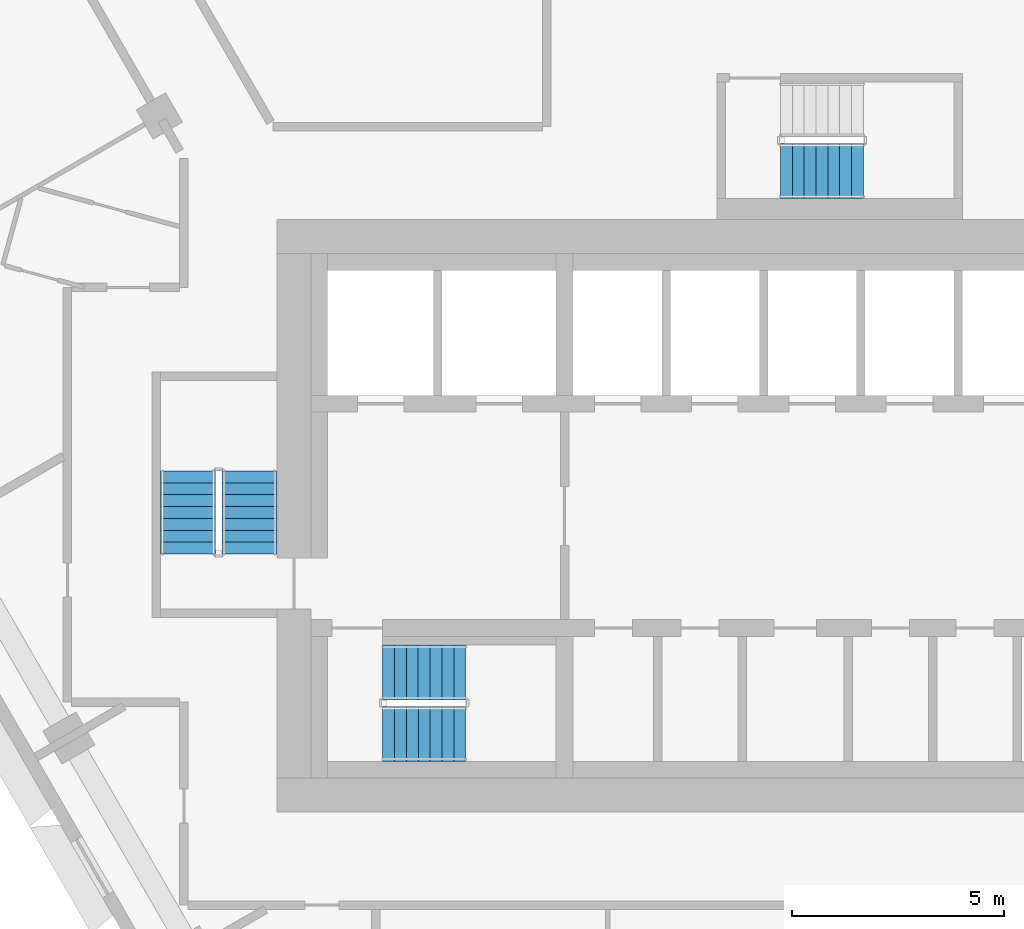
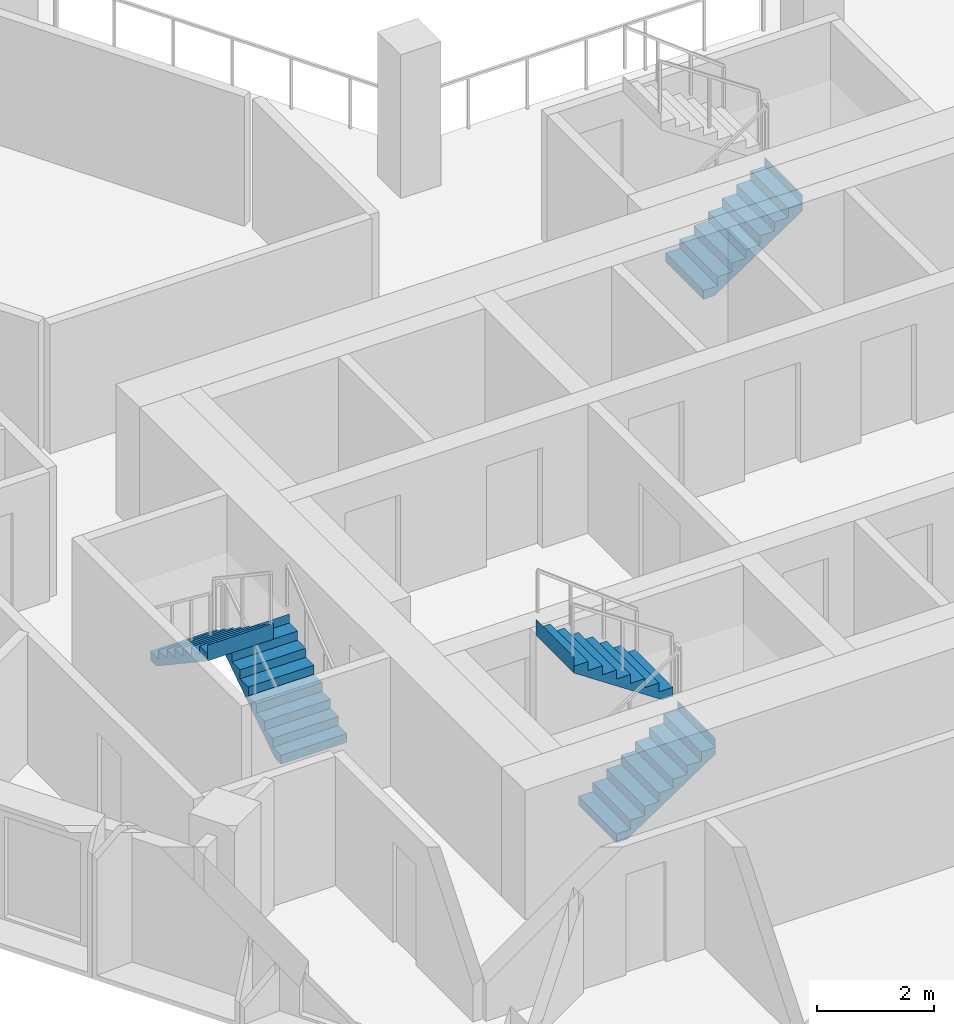
# One storey, part 10 of 15: 5 stair flights, 3 elements without a shape of their own.
"""IFC4 building model written with IfcOpenShell, lengths in metres."""

from ifc_helpers import new_model, si_unit, direction, frame, origin, place, context, subcontext, project, spatial, triangles, material, type_object, element, aggregate, save


model = new_model("IFC4")

# Units and contexts
model_context = context("Model", 3, precision=1e-05, world=origin(), true_north=direction((0.0, 1.0)))
body_context = subcontext(model_context, "Body", "Model", "MODEL_VIEW")
ifc_project = project(units=[si_unit("LENGTHUNIT", "METRE"), si_unit("AREAUNIT", "SQUARE_METRE"), si_unit("VOLUMEUNIT", "CUBIC_METRE"), si_unit("PLANEANGLEUNIT", "RADIAN"), si_unit("MASSUNIT", "GRAM", prefix="KILO")], contexts=[model_context])

# Site, building, storey
site_placement = place(None, origin())
site = spatial("IfcSite", under=ifc_project, at=site_placement, CompositionType="ELEMENT")
building_placement = place(site_placement, origin())
building = spatial("IfcBuilding", under=site, at=building_placement, Name="Beryl Residences", CompositionType="ELEMENT")
storey_placement = place(building_placement, frame((0.0, 0.0, 135.60009765625)))
storey = spatial("IfcBuildingStorey", under=building, at=storey_placement, Name="L41", CompositionType="ELEMENT", Elevation=135.60009765625)

# Stair, stair flights
ifc_material_1 = material(Name="Concrete C40/50", Category="concrete")
stair_type = type_object("IfcStairType", Name="ST1 protected exit stair, half-turn, 1300 mm flights", PredefinedType="HALF_TURN_STAIR", material=ifc_material_1)
stair_1_placement = place(storey_placement, origin())
stair_1 = element("IfcStair", 1, at=stair_1_placement, inside=storey, type_object=stair_type, Name="L41 PROTECTED EXIT STAIR ST-1", PredefinedType="HALF_TURN_STAIR")
ifc_material_2 = material(Name="Concrete C40/50", Category="concrete")
stair_flight_type = type_object("IfcStairFlightType", Name="SF1 stair flight 1300 mm", PredefinedType="STRAIGHT", material=ifc_material_2)
stair_flight_1_placement = place(storey_placement, frame((-10.800048828125, -17.14990234375, 0.0), z_axis=(0.0, 0.0, 1.0), x_axis=(1.0, 0.0, 0.0)))
stair_flight_1 = element("IfcStairFlight", 2, at=stair_flight_1_placement, type_object=stair_flight_type, Name="ST-1 flight 1", NumberOfRisers=8, NumberOfTreads=7, PredefinedType="STRAIGHT", RiserHeight=0.1875, TreadLength=0.28, context=body_context, shape_type="Tessellation", body=[
    triangles([(0.0, -0.64990234375, 0.0), (0.0, -0.324951171875, 0.0), (0.0, 0.0, 0.0), (0.0, 0.324951171875, 0.0), (0.0, 0.64990234375, 0.0), (0.0, -0.64990234375, 0.1875), (0.0, -0.324951171875, 0.1875), (0.0, 0.0, 0.1875), (0.0, 0.324951171875, 0.1875), (0.0, 0.64990234375, 0.1875), (0.280029296875, -0.64990234375, 0.1875), (0.280029296875, -0.324951171875, 0.1875), (0.280029296875, 0.0, 0.1875), (0.280029296875, 0.324951171875, 0.1875), (0.280029296875, 0.64990234375, 0.1875), (0.280029296875, -0.64990234375, 0.375), (0.280029296875, -0.324951171875, 0.375), (0.280029296875, 0.0, 0.375), (0.280029296875, 0.324951171875, 0.375), (0.280029296875, 0.64990234375, 0.375), (0.56005859375, -0.64990234375, 0.375), (0.56005859375, -0.324951171875, 0.375), (0.56005859375, 0.0, 0.375), (0.56005859375, 0.324951171875, 0.375), (0.56005859375, 0.64990234375, 0.375), (0.56005859375, -0.64990234375, 0.5625), (0.56005859375, -0.324951171875, 0.5625), (0.56005859375, 0.0, 0.5625), (0.56005859375, 0.324951171875, 0.5625), (0.56005859375, 0.64990234375, 0.5625), (0.840087890625, -0.64990234375, 0.5625), (0.840087890625, -0.324951171875, 0.5625), (0.840087890625, 0.0, 0.5625), (0.840087890625, 0.324951171875, 0.5625), (0.840087890625, 0.64990234375, 0.5625), (0.840087890625, -0.64990234375, 0.75), (0.840087890625, -0.324951171875, 0.75), (0.840087890625, 0.0, 0.75), (0.840087890625, 0.324951171875, 0.75), (0.840087890625, 0.64990234375, 0.75), (1.1201171875, -0.64990234375, 0.75), (1.1201171875, -0.324951171875, 0.75), (1.1201171875, 0.0, 0.75), (1.1201171875, 0.324951171875, 0.75), (1.1201171875, 0.64990234375, 0.75), (1.1201171875, -0.64990234375, 0.9375), (1.1201171875, -0.324951171875, 0.9375), (1.1201171875, 0.0, 0.9375), (1.1201171875, 0.324951171875, 0.9375), (1.1201171875, 0.64990234375, 0.9375), (1.39990234375, -0.64990234375, 0.9375), (1.39990234375, -0.324951171875, 0.9375), (1.39990234375, 0.0, 0.9375), (1.39990234375, 0.324951171875, 0.9375), (1.39990234375, 0.64990234375, 0.9375), (1.39990234375, -0.64990234375, 1.125), (1.39990234375, -0.324951171875, 1.125), (1.39990234375, 0.0, 1.125), (1.39990234375, 0.324951171875, 1.125), (1.39990234375, 0.64990234375, 1.125), (1.679931640625, -0.64990234375, 1.125), (1.679931640625, -0.324951171875, 1.125), (1.679931640625, 0.0, 1.125), (1.679931640625, 0.324951171875, 1.125), (1.679931640625, 0.64990234375, 1.125), (1.679931640625, -0.64990234375, 1.3125), (1.679931640625, -0.324951171875, 1.3125), (1.679931640625, 0.0, 1.3125), (1.679931640625, 0.324951171875, 1.3125), (1.679931640625, 0.64990234375, 1.3125), (1.9599609375, -0.64990234375, 1.3125), (1.9599609375, -0.324951171875, 1.3125), (1.9599609375, 0.0, 1.3125), (1.9599609375, 0.324951171875, 1.3125), (1.9599609375, 0.64990234375, 1.3125), (1.9599609375, -0.64990234375, 1.5), (1.9599609375, -0.324951171875, 1.5), (1.9599609375, 0.0, 1.5), (1.9599609375, 0.324951171875, 1.5), (1.9599609375, 0.64990234375, 1.5), (1.9609375, -0.64990234375, 1.5), (1.9609375, -0.324951171875, 1.5), (1.9609375, 0.0, 1.5), (1.9609375, 0.324951171875, 1.5), (1.9609375, 0.64990234375, 1.5), (1.9609375, -0.64990234375, 1.16796875), (1.9609375, -0.324951171875, 1.16796875), (1.9609375, 0.0, 1.16796875), (1.9609375, 0.324951171875, 1.16796875), (1.9609375, 0.64990234375, 1.16796875), (0.216796875, -0.64990234375, 0.0), (0.216796875, -0.324951171875, 0.0), (0.216796875, 0.0, 0.0), (0.216796875, 0.324951171875, 0.0), (0.216796875, 0.64990234375, 0.0)], [[1, 6, 7], [1, 7, 2], [2, 7, 8], [2, 8, 3], [3, 8, 9], [3, 9, 4], [4, 9, 10], [4, 10, 5], [6, 11, 12], [6, 12, 7], [7, 12, 13], [7, 13, 8], [8, 13, 14], [8, 14, 9], [9, 14, 15], [9, 15, 10], [11, 16, 17], [11, 17, 12], [12, 17, 18], [12, 18, 13], [13, 18, 19], [13, 19, 14], [14, 19, 20], [14, 20, 15], [16, 21, 22], [16, 22, 17], [17, 22, 23], [17, 23, 18], [18, 23, 24], [18, 24, 19], [19, 24, 25], [19, 25, 20], [21, 26, 27], [21, 27, 22], [22, 27, 28], [22, 28, 23], [23, 28, 29], [23, 29, 24], [24, 29, 30], [24, 30, 25], [26, 31, 32], [26, 32, 27], [27, 32, 33], [27, 33, 28], [28, 33, 34], [28, 34, 29], [29, 34, 35], [29, 35, 30], [31, 36, 37], [31, 37, 32], [32, 37, 38], [32, 38, 33], [33, 38, 39], [33, 39, 34], [34, 39, 40], [34, 40, 35], [36, 41, 42], [36, 42, 37], [37, 42, 43], [37, 43, 38], [38, 43, 44], [38, 44, 39], [39, 44, 45], [39, 45, 40], [41, 46, 47], [41, 47, 42], [42, 47, 48], [42, 48, 43], [43, 48, 49], [43, 49, 44], [44, 49, 50], [44, 50, 45], [46, 51, 52], [46, 52, 47], [47, 52, 53], [47, 53, 48], [48, 53, 54], [48, 54, 49], [49, 54, 55], [49, 55, 50], [51, 56, 57], [51, 57, 52], [52, 57, 58], [52, 58, 53], [53, 58, 59], [53, 59, 54], [54, 59, 60], [54, 60, 55], [56, 61, 62], [56, 62, 57], [57, 62, 63], [57, 63, 58], [58, 63, 64], [58, 64, 59], [59, 64, 65], [59, 65, 60], [61, 66, 67], [61, 67, 62], [62, 67, 68], [62, 68, 63], [63, 68, 69], [63, 69, 64], [64, 69, 70], [64, 70, 65], [66, 71, 72], [66, 72, 67], [67, 72, 73], [67, 73, 68], [68, 73, 74], [68, 74, 69], [69, 74, 75], [69, 75, 70], [71, 76, 77], [71, 77, 72], [72, 77, 78], [72, 78, 73], [73, 78, 79], [73, 79, 74], [74, 79, 80], [74, 80, 75], [76, 81, 82], [76, 82, 77], [77, 82, 83], [77, 83, 78], [78, 83, 84], [78, 84, 79], [79, 84, 85], [79, 85, 80], [81, 86, 87], [81, 87, 82], [82, 87, 88], [82, 88, 83], [83, 88, 89], [83, 89, 84], [84, 89, 90], [84, 90, 85], [86, 91, 92], [86, 92, 87], [87, 92, 93], [87, 93, 88], [88, 93, 94], [88, 94, 89], [89, 94, 95], [89, 95, 90], [91, 1, 2], [91, 2, 92], [92, 2, 3], [92, 3, 93], [93, 3, 4], [93, 4, 94], [94, 4, 5], [94, 5, 95], [1, 91, 86], [5, 90, 95], [86, 81, 76], [90, 80, 85], [86, 76, 71], [90, 75, 80], [86, 71, 66], [90, 70, 75], [86, 66, 61], [90, 65, 70], [61, 56, 51], [65, 55, 60], [86, 61, 51], [90, 55, 65], [51, 46, 41], [55, 45, 50], [86, 51, 41], [90, 45, 55], [41, 36, 31], [45, 35, 40], [86, 41, 31], [90, 35, 45], [31, 26, 21], [35, 25, 30], [86, 31, 21], [90, 25, 35], [21, 16, 11], [25, 15, 20], [86, 21, 11], [90, 15, 25], [1, 86, 11], [5, 15, 90], [11, 6, 1], [15, 5, 10]], closed=True),
])
stair_flight_2_placement = place(storey_placement, frame((-8.840087890625, -15.699951171875, 1.5), z_axis=(0.0, 0.0, 1.0), x_axis=(-1.0, 0.0, 0.0)))
stair_flight_2 = element("IfcStairFlight", 3, at=stair_flight_2_placement, type_object=stair_flight_type, Name="ST-1 flight 2", NumberOfRisers=8, NumberOfTreads=7, PredefinedType="STRAIGHT", RiserHeight=0.1875, TreadLength=0.28, context=body_context, shape_type="Tessellation", body=[
    triangles([(0.0, -0.64990234375, 0.0), (0.0, -0.324951171875, 0.0), (0.0, 0.0, 0.0), (0.0, 0.324951171875, 0.0), (0.0, 0.64990234375, 0.0), (0.0, -0.64990234375, 0.1875), (0.0, -0.324951171875, 0.1875), (0.0, 0.0, 0.1875), (0.0, 0.324951171875, 0.1875), (0.0, 0.64990234375, 0.1875), (0.280029296875, -0.64990234375, 0.1875), (0.280029296875, -0.324951171875, 0.1875), (0.280029296875, 0.0, 0.1875), (0.280029296875, 0.324951171875, 0.1875), (0.280029296875, 0.64990234375, 0.1875), (0.280029296875, -0.64990234375, 0.375), (0.280029296875, -0.324951171875, 0.375), (0.280029296875, 0.0, 0.375), (0.280029296875, 0.324951171875, 0.375), (0.280029296875, 0.64990234375, 0.375), (0.56005859375, -0.64990234375, 0.375), (0.56005859375, -0.324951171875, 0.375), (0.56005859375, 0.0, 0.375), (0.56005859375, 0.324951171875, 0.375), (0.56005859375, 0.64990234375, 0.375), (0.56005859375, -0.64990234375, 0.5625), (0.56005859375, -0.324951171875, 0.5625), (0.56005859375, 0.0, 0.5625), (0.56005859375, 0.324951171875, 0.5625), (0.56005859375, 0.64990234375, 0.5625), (0.840087890625, -0.64990234375, 0.5625), (0.840087890625, -0.324951171875, 0.5625), (0.840087890625, 0.0, 0.5625), (0.840087890625, 0.324951171875, 0.5625), (0.840087890625, 0.64990234375, 0.5625), (0.840087890625, -0.64990234375, 0.75), (0.840087890625, -0.324951171875, 0.75), (0.840087890625, 0.0, 0.75), (0.840087890625, 0.324951171875, 0.75), (0.840087890625, 0.64990234375, 0.75), (1.1201171875, -0.64990234375, 0.75), (1.1201171875, -0.324951171875, 0.75), (1.1201171875, 0.0, 0.75), (1.1201171875, 0.324951171875, 0.75), (1.1201171875, 0.64990234375, 0.75), (1.1201171875, -0.64990234375, 0.9375), (1.1201171875, -0.324951171875, 0.9375), (1.1201171875, 0.0, 0.9375), (1.1201171875, 0.324951171875, 0.9375), (1.1201171875, 0.64990234375, 0.9375), (1.39990234375, -0.64990234375, 0.9375), (1.39990234375, -0.324951171875, 0.9375), (1.39990234375, 0.0, 0.9375), (1.39990234375, 0.324951171875, 0.9375), (1.39990234375, 0.64990234375, 0.9375), (1.39990234375, -0.64990234375, 1.125), (1.39990234375, -0.324951171875, 1.125), (1.39990234375, 0.0, 1.125), (1.39990234375, 0.324951171875, 1.125), (1.39990234375, 0.64990234375, 1.125), (1.679931640625, -0.64990234375, 1.125), (1.679931640625, -0.324951171875, 1.125), (1.679931640625, 0.0, 1.125), (1.679931640625, 0.324951171875, 1.125), (1.679931640625, 0.64990234375, 1.125), (1.679931640625, -0.64990234375, 1.3125), (1.679931640625, -0.324951171875, 1.3125), (1.679931640625, 0.0, 1.3125), (1.679931640625, 0.324951171875, 1.3125), (1.679931640625, 0.64990234375, 1.3125), (1.9599609375, -0.64990234375, 1.3125), (1.9599609375, -0.324951171875, 1.3125), (1.9599609375, 0.0, 1.3125), (1.9599609375, 0.324951171875, 1.3125), (1.9599609375, 0.64990234375, 1.3125), (1.9599609375, -0.64990234375, 1.5), (1.9599609375, -0.324951171875, 1.5), (1.9599609375, 0.0, 1.5), (1.9599609375, 0.324951171875, 1.5), (1.9599609375, 0.64990234375, 1.5), (1.9609375, -0.64990234375, 1.5), (1.9609375, -0.324951171875, 1.5), (1.9609375, 0.0, 1.5), (1.9609375, 0.324951171875, 1.5), (1.9609375, 0.64990234375, 1.5), (1.9609375, -0.64990234375, 1.16796875), (1.9609375, -0.324951171875, 1.16796875), (1.9609375, 0.0, 1.16796875), (1.9609375, 0.324951171875, 1.16796875), (1.9609375, 0.64990234375, 1.16796875), (0.216796875, -0.64990234375, 0.0), (0.216796875, -0.324951171875, 0.0), (0.216796875, 0.0, 0.0), (0.216796875, 0.324951171875, 0.0), (0.216796875, 0.64990234375, 0.0)], [[1, 6, 7], [1, 7, 2], [2, 7, 8], [2, 8, 3], [3, 8, 9], [3, 9, 4], [4, 9, 10], [4, 10, 5], [6, 11, 12], [6, 12, 7], [7, 12, 13], [7, 13, 8], [8, 13, 14], [8, 14, 9], [9, 14, 15], [9, 15, 10], [11, 16, 17], [11, 17, 12], [12, 17, 18], [12, 18, 13], [13, 18, 19], [13, 19, 14], [14, 19, 20], [14, 20, 15], [16, 21, 22], [16, 22, 17], [17, 22, 23], [17, 23, 18], [18, 23, 24], [18, 24, 19], [19, 24, 25], [19, 25, 20], [21, 26, 27], [21, 27, 22], [22, 27, 28], [22, 28, 23], [23, 28, 29], [23, 29, 24], [24, 29, 30], [24, 30, 25], [26, 31, 32], [26, 32, 27], [27, 32, 33], [27, 33, 28], [28, 33, 34], [28, 34, 29], [29, 34, 35], [29, 35, 30], [31, 36, 37], [31, 37, 32], [32, 37, 38], [32, 38, 33], [33, 38, 39], [33, 39, 34], [34, 39, 40], [34, 40, 35], [36, 41, 42], [36, 42, 37], [37, 42, 43], [37, 43, 38], [38, 43, 44], [38, 44, 39], [39, 44, 45], [39, 45, 40], [41, 46, 47], [41, 47, 42], [42, 47, 48], [42, 48, 43], [43, 48, 49], [43, 49, 44], [44, 49, 50], [44, 50, 45], [46, 51, 52], [46, 52, 47], [47, 52, 53], [47, 53, 48], [48, 53, 54], [48, 54, 49], [49, 54, 55], [49, 55, 50], [51, 56, 57], [51, 57, 52], [52, 57, 58], [52, 58, 53], [53, 58, 59], [53, 59, 54], [54, 59, 60], [54, 60, 55], [56, 61, 62], [56, 62, 57], [57, 62, 63], [57, 63, 58], [58, 63, 64], [58, 64, 59], [59, 64, 65], [59, 65, 60], [61, 66, 67], [61, 67, 62], [62, 67, 68], [62, 68, 63], [63, 68, 69], [63, 69, 64], [64, 69, 70], [64, 70, 65], [66, 71, 72], [66, 72, 67], [67, 72, 73], [67, 73, 68], [68, 73, 74], [68, 74, 69], [69, 74, 75], [69, 75, 70], [71, 76, 77], [71, 77, 72], [72, 77, 78], [72, 78, 73], [73, 78, 79], [73, 79, 74], [74, 79, 80], [74, 80, 75], [76, 81, 82], [76, 82, 77], [77, 82, 83], [77, 83, 78], [78, 83, 84], [78, 84, 79], [79, 84, 85], [79, 85, 80], [81, 86, 87], [81, 87, 82], [82, 87, 88], [82, 88, 83], [83, 88, 89], [83, 89, 84], [84, 89, 90], [84, 90, 85], [86, 91, 92], [86, 92, 87], [87, 92, 93], [87, 93, 88], [88, 93, 94], [88, 94, 89], [89, 94, 95], [89, 95, 90], [91, 1, 2], [91, 2, 92], [92, 2, 3], [92, 3, 93], [93, 3, 4], [93, 4, 94], [94, 4, 5], [94, 5, 95], [1, 91, 86], [5, 90, 95], [86, 81, 76], [90, 80, 85], [86, 76, 71], [90, 75, 80], [86, 71, 66], [90, 70, 75], [86, 66, 61], [90, 65, 70], [61, 56, 51], [65, 55, 60], [86, 61, 51], [90, 55, 65], [51, 46, 41], [55, 45, 50], [86, 51, 41], [90, 45, 55], [41, 36, 31], [45, 35, 40], [86, 41, 31], [90, 35, 45], [31, 26, 21], [35, 25, 30], [86, 31, 21], [90, 25, 35], [21, 16, 11], [25, 15, 20], [86, 21, 11], [90, 15, 25], [1, 86, 11], [5, 15, 90], [11, 6, 1], [15, 5, 10]], closed=True),
])
aggregate(stair_1, [stair_flight_1, stair_flight_2])

stair_2_placement = place(storey_placement, origin())
stair_2 = element("IfcStair", 4, at=stair_2_placement, inside=storey, type_object=stair_type, Name="L41 PROTECTED EXIT STAIR ST-2", PredefinedType="HALF_TURN_STAIR")
stair_flight_3_placement = place(storey_placement, frame((-13.949951171875, -12.89990234375, 0.0), z_axis=(0.0, 0.0, 1.0), x_axis=(0.0, 1.0, 0.0)))
stair_flight_3 = element("IfcStairFlight", 5, at=stair_flight_3_placement, type_object=stair_flight_type, Name="ST-2 flight 1", NumberOfRisers=8, NumberOfTreads=7, PredefinedType="STRAIGHT", RiserHeight=0.1875, TreadLength=0.28, context=body_context, shape_type="Tessellation", body=[
    triangles([(0.0, -0.64990234375, 0.0), (0.0, -0.324951171875, 0.0), (0.0, 0.0, 0.0), (0.0, 0.324951171875, 0.0), (0.0, 0.64990234375, 0.0), (0.0, -0.64990234375, 0.1875), (0.0, -0.324951171875, 0.1875), (0.0, 0.0, 0.1875), (0.0, 0.324951171875, 0.1875), (0.0, 0.64990234375, 0.1875), (0.280029296875, -0.64990234375, 0.1875), (0.280029296875, -0.324951171875, 0.1875), (0.280029296875, 0.0, 0.1875), (0.280029296875, 0.324951171875, 0.1875), (0.280029296875, 0.64990234375, 0.1875), (0.280029296875, -0.64990234375, 0.375), (0.280029296875, -0.324951171875, 0.375), (0.280029296875, 0.0, 0.375), (0.280029296875, 0.324951171875, 0.375), (0.280029296875, 0.64990234375, 0.375), (0.56005859375, -0.64990234375, 0.375), (0.56005859375, -0.324951171875, 0.375), (0.56005859375, 0.0, 0.375), (0.56005859375, 0.324951171875, 0.375), (0.56005859375, 0.64990234375, 0.375), (0.56005859375, -0.64990234375, 0.5625), (0.56005859375, -0.324951171875, 0.5625), (0.56005859375, 0.0, 0.5625), (0.56005859375, 0.324951171875, 0.5625), (0.56005859375, 0.64990234375, 0.5625), (0.840087890625, -0.64990234375, 0.5625), (0.840087890625, -0.324951171875, 0.5625), (0.840087890625, 0.0, 0.5625), (0.840087890625, 0.324951171875, 0.5625), (0.840087890625, 0.64990234375, 0.5625), (0.840087890625, -0.64990234375, 0.75), (0.840087890625, -0.324951171875, 0.75), (0.840087890625, 0.0, 0.75), (0.840087890625, 0.324951171875, 0.75), (0.840087890625, 0.64990234375, 0.75), (1.1201171875, -0.64990234375, 0.75), (1.1201171875, -0.324951171875, 0.75), (1.1201171875, 0.0, 0.75), (1.1201171875, 0.324951171875, 0.75), (1.1201171875, 0.64990234375, 0.75), (1.1201171875, -0.64990234375, 0.9375), (1.1201171875, -0.324951171875, 0.9375), (1.1201171875, 0.0, 0.9375), (1.1201171875, 0.324951171875, 0.9375), (1.1201171875, 0.64990234375, 0.9375), (1.39990234375, -0.64990234375, 0.9375), (1.39990234375, -0.324951171875, 0.9375), (1.39990234375, 0.0, 0.9375), (1.39990234375, 0.324951171875, 0.9375), (1.39990234375, 0.64990234375, 0.9375), (1.39990234375, -0.64990234375, 1.125), (1.39990234375, -0.324951171875, 1.125), (1.39990234375, 0.0, 1.125), (1.39990234375, 0.324951171875, 1.125), (1.39990234375, 0.64990234375, 1.125), (1.679931640625, -0.64990234375, 1.125), (1.679931640625, -0.324951171875, 1.125), (1.679931640625, 0.0, 1.125), (1.679931640625, 0.324951171875, 1.125), (1.679931640625, 0.64990234375, 1.125), (1.679931640625, -0.64990234375, 1.3125), (1.679931640625, -0.324951171875, 1.3125), (1.679931640625, 0.0, 1.3125), (1.679931640625, 0.324951171875, 1.3125), (1.679931640625, 0.64990234375, 1.3125), (1.9599609375, -0.64990234375, 1.3125), (1.9599609375, -0.324951171875, 1.3125), (1.9599609375, 0.0, 1.3125), (1.9599609375, 0.324951171875, 1.3125), (1.9599609375, 0.64990234375, 1.3125), (1.9599609375, -0.64990234375, 1.5), (1.9599609375, -0.324951171875, 1.5), (1.9599609375, 0.0, 1.5), (1.9599609375, 0.324951171875, 1.5), (1.9599609375, 0.64990234375, 1.5), (1.9609375, -0.64990234375, 1.5), (1.9609375, -0.324951171875, 1.5), (1.9609375, 0.0, 1.5), (1.9609375, 0.324951171875, 1.5), (1.9609375, 0.64990234375, 1.5), (1.9609375, -0.64990234375, 1.16796875), (1.9609375, -0.324951171875, 1.16796875), (1.9609375, 0.0, 1.16796875), (1.9609375, 0.324951171875, 1.16796875), (1.9609375, 0.64990234375, 1.16796875), (0.216796875, -0.64990234375, 0.0), (0.216796875, -0.324951171875, 0.0), (0.216796875, 0.0, 0.0), (0.216796875, 0.324951171875, 0.0), (0.216796875, 0.64990234375, 0.0)], [[1, 6, 7], [1, 7, 2], [2, 7, 8], [2, 8, 3], [3, 8, 9], [3, 9, 4], [4, 9, 10], [4, 10, 5], [6, 11, 12], [6, 12, 7], [7, 12, 13], [7, 13, 8], [8, 13, 14], [8, 14, 9], [9, 14, 15], [9, 15, 10], [11, 16, 17], [11, 17, 12], [12, 17, 18], [12, 18, 13], [13, 18, 19], [13, 19, 14], [14, 19, 20], [14, 20, 15], [16, 21, 22], [16, 22, 17], [17, 22, 23], [17, 23, 18], [18, 23, 24], [18, 24, 19], [19, 24, 25], [19, 25, 20], [21, 26, 27], [21, 27, 22], [22, 27, 28], [22, 28, 23], [23, 28, 29], [23, 29, 24], [24, 29, 30], [24, 30, 25], [26, 31, 32], [26, 32, 27], [27, 32, 33], [27, 33, 28], [28, 33, 34], [28, 34, 29], [29, 34, 35], [29, 35, 30], [31, 36, 37], [31, 37, 32], [32, 37, 38], [32, 38, 33], [33, 38, 39], [33, 39, 34], [34, 39, 40], [34, 40, 35], [36, 41, 42], [36, 42, 37], [37, 42, 43], [37, 43, 38], [38, 43, 44], [38, 44, 39], [39, 44, 45], [39, 45, 40], [41, 46, 47], [41, 47, 42], [42, 47, 48], [42, 48, 43], [43, 48, 49], [43, 49, 44], [44, 49, 50], [44, 50, 45], [46, 51, 52], [46, 52, 47], [47, 52, 53], [47, 53, 48], [48, 53, 54], [48, 54, 49], [49, 54, 55], [49, 55, 50], [51, 56, 57], [51, 57, 52], [52, 57, 58], [52, 58, 53], [53, 58, 59], [53, 59, 54], [54, 59, 60], [54, 60, 55], [56, 61, 62], [56, 62, 57], [57, 62, 63], [57, 63, 58], [58, 63, 64], [58, 64, 59], [59, 64, 65], [59, 65, 60], [61, 66, 67], [61, 67, 62], [62, 67, 68], [62, 68, 63], [63, 68, 69], [63, 69, 64], [64, 69, 70], [64, 70, 65], [66, 71, 72], [66, 72, 67], [67, 72, 73], [67, 73, 68], [68, 73, 74], [68, 74, 69], [69, 74, 75], [69, 75, 70], [71, 76, 77], [71, 77, 72], [72, 77, 78], [72, 78, 73], [73, 78, 79], [73, 79, 74], [74, 79, 80], [74, 80, 75], [76, 81, 82], [76, 82, 77], [77, 82, 83], [77, 83, 78], [78, 83, 84], [78, 84, 79], [79, 84, 85], [79, 85, 80], [81, 86, 87], [81, 87, 82], [82, 87, 88], [82, 88, 83], [83, 88, 89], [83, 89, 84], [84, 89, 90], [84, 90, 85], [86, 91, 92], [86, 92, 87], [87, 92, 93], [87, 93, 88], [88, 93, 94], [88, 94, 89], [89, 94, 95], [89, 95, 90], [91, 1, 2], [91, 2, 92], [92, 2, 3], [92, 3, 93], [93, 3, 4], [93, 4, 94], [94, 4, 5], [94, 5, 95], [1, 91, 86], [5, 90, 95], [86, 81, 76], [90, 80, 85], [86, 76, 71], [90, 75, 80], [86, 71, 66], [90, 70, 75], [86, 66, 61], [90, 65, 70], [61, 56, 51], [65, 55, 60], [86, 61, 51], [90, 55, 65], [51, 46, 41], [55, 45, 50], [86, 51, 41], [90, 45, 55], [41, 36, 31], [45, 35, 40], [86, 41, 31], [90, 35, 45], [31, 26, 21], [35, 25, 30], [86, 31, 21], [90, 25, 35], [21, 16, 11], [25, 15, 20], [86, 21, 11], [90, 15, 25], [1, 86, 11], [5, 15, 90], [11, 6, 1], [15, 5, 10]], closed=True),
])
stair_flight_4_placement = place(storey_placement, frame((-15.39990234375, -10.93994140625, 1.5), z_axis=(0.0, 0.0, 1.0), x_axis=(0.0, -1.0, 0.0)))
stair_flight_4 = element("IfcStairFlight", 6, at=stair_flight_4_placement, type_object=stair_flight_type, Name="ST-2 flight 2", NumberOfRisers=8, NumberOfTreads=7, PredefinedType="STRAIGHT", RiserHeight=0.1875, TreadLength=0.28, context=body_context, shape_type="Tessellation", body=[
    triangles([(0.0, -0.64990234375, 0.0), (0.0, -0.324951171875, 0.0), (0.0, 0.0, 0.0), (0.0, 0.324951171875, 0.0), (0.0, 0.64990234375, 0.0), (0.0, -0.64990234375, 0.1875), (0.0, -0.324951171875, 0.1875), (0.0, 0.0, 0.1875), (0.0, 0.324951171875, 0.1875), (0.0, 0.64990234375, 0.1875), (0.280029296875, -0.64990234375, 0.1875), (0.280029296875, -0.324951171875, 0.1875), (0.280029296875, 0.0, 0.1875), (0.280029296875, 0.324951171875, 0.1875), (0.280029296875, 0.64990234375, 0.1875), (0.280029296875, -0.64990234375, 0.375), (0.280029296875, -0.324951171875, 0.375), (0.280029296875, 0.0, 0.375), (0.280029296875, 0.324951171875, 0.375), (0.280029296875, 0.64990234375, 0.375), (0.56005859375, -0.64990234375, 0.375), (0.56005859375, -0.324951171875, 0.375), (0.56005859375, 0.0, 0.375), (0.56005859375, 0.324951171875, 0.375), (0.56005859375, 0.64990234375, 0.375), (0.56005859375, -0.64990234375, 0.5625), (0.56005859375, -0.324951171875, 0.5625), (0.56005859375, 0.0, 0.5625), (0.56005859375, 0.324951171875, 0.5625), (0.56005859375, 0.64990234375, 0.5625), (0.840087890625, -0.64990234375, 0.5625), (0.840087890625, -0.324951171875, 0.5625), (0.840087890625, 0.0, 0.5625), (0.840087890625, 0.324951171875, 0.5625), (0.840087890625, 0.64990234375, 0.5625), (0.840087890625, -0.64990234375, 0.75), (0.840087890625, -0.324951171875, 0.75), (0.840087890625, 0.0, 0.75), (0.840087890625, 0.324951171875, 0.75), (0.840087890625, 0.64990234375, 0.75), (1.1201171875, -0.64990234375, 0.75), (1.1201171875, -0.324951171875, 0.75), (1.1201171875, 0.0, 0.75), (1.1201171875, 0.324951171875, 0.75), (1.1201171875, 0.64990234375, 0.75), (1.1201171875, -0.64990234375, 0.9375), (1.1201171875, -0.324951171875, 0.9375), (1.1201171875, 0.0, 0.9375), (1.1201171875, 0.324951171875, 0.9375), (1.1201171875, 0.64990234375, 0.9375), (1.39990234375, -0.64990234375, 0.9375), (1.39990234375, -0.324951171875, 0.9375), (1.39990234375, 0.0, 0.9375), (1.39990234375, 0.324951171875, 0.9375), (1.39990234375, 0.64990234375, 0.9375), (1.39990234375, -0.64990234375, 1.125), (1.39990234375, -0.324951171875, 1.125), (1.39990234375, 0.0, 1.125), (1.39990234375, 0.324951171875, 1.125), (1.39990234375, 0.64990234375, 1.125), (1.679931640625, -0.64990234375, 1.125), (1.679931640625, -0.324951171875, 1.125), (1.679931640625, 0.0, 1.125), (1.679931640625, 0.324951171875, 1.125), (1.679931640625, 0.64990234375, 1.125), (1.679931640625, -0.64990234375, 1.3125), (1.679931640625, -0.324951171875, 1.3125), (1.679931640625, 0.0, 1.3125), (1.679931640625, 0.324951171875, 1.3125), (1.679931640625, 0.64990234375, 1.3125), (1.9599609375, -0.64990234375, 1.3125), (1.9599609375, -0.324951171875, 1.3125), (1.9599609375, 0.0, 1.3125), (1.9599609375, 0.324951171875, 1.3125), (1.9599609375, 0.64990234375, 1.3125), (1.9599609375, -0.64990234375, 1.5), (1.9599609375, -0.324951171875, 1.5), (1.9599609375, 0.0, 1.5), (1.9599609375, 0.324951171875, 1.5), (1.9599609375, 0.64990234375, 1.5), (1.9609375, -0.64990234375, 1.5), (1.9609375, -0.324951171875, 1.5), (1.9609375, 0.0, 1.5), (1.9609375, 0.324951171875, 1.5), (1.9609375, 0.64990234375, 1.5), (1.9609375, -0.64990234375, 1.16796875), (1.9609375, -0.324951171875, 1.16796875), (1.9609375, 0.0, 1.16796875), (1.9609375, 0.324951171875, 1.16796875), (1.9609375, 0.64990234375, 1.16796875), (0.216796875, -0.64990234375, 0.0), (0.216796875, -0.324951171875, 0.0), (0.216796875, 0.0, 0.0), (0.216796875, 0.324951171875, 0.0), (0.216796875, 0.64990234375, 0.0)], [[1, 6, 7], [1, 7, 2], [2, 7, 8], [2, 8, 3], [3, 8, 9], [3, 9, 4], [4, 9, 10], [4, 10, 5], [6, 11, 12], [6, 12, 7], [7, 12, 13], [7, 13, 8], [8, 13, 14], [8, 14, 9], [9, 14, 15], [9, 15, 10], [11, 16, 17], [11, 17, 12], [12, 17, 18], [12, 18, 13], [13, 18, 19], [13, 19, 14], [14, 19, 20], [14, 20, 15], [16, 21, 22], [16, 22, 17], [17, 22, 23], [17, 23, 18], [18, 23, 24], [18, 24, 19], [19, 24, 25], [19, 25, 20], [21, 26, 27], [21, 27, 22], [22, 27, 28], [22, 28, 23], [23, 28, 29], [23, 29, 24], [24, 29, 30], [24, 30, 25], [26, 31, 32], [26, 32, 27], [27, 32, 33], [27, 33, 28], [28, 33, 34], [28, 34, 29], [29, 34, 35], [29, 35, 30], [31, 36, 37], [31, 37, 32], [32, 37, 38], [32, 38, 33], [33, 38, 39], [33, 39, 34], [34, 39, 40], [34, 40, 35], [36, 41, 42], [36, 42, 37], [37, 42, 43], [37, 43, 38], [38, 43, 44], [38, 44, 39], [39, 44, 45], [39, 45, 40], [41, 46, 47], [41, 47, 42], [42, 47, 48], [42, 48, 43], [43, 48, 49], [43, 49, 44], [44, 49, 50], [44, 50, 45], [46, 51, 52], [46, 52, 47], [47, 52, 53], [47, 53, 48], [48, 53, 54], [48, 54, 49], [49, 54, 55], [49, 55, 50], [51, 56, 57], [51, 57, 52], [52, 57, 58], [52, 58, 53], [53, 58, 59], [53, 59, 54], [54, 59, 60], [54, 60, 55], [56, 61, 62], [56, 62, 57], [57, 62, 63], [57, 63, 58], [58, 63, 64], [58, 64, 59], [59, 64, 65], [59, 65, 60], [61, 66, 67], [61, 67, 62], [62, 67, 68], [62, 68, 63], [63, 68, 69], [63, 69, 64], [64, 69, 70], [64, 70, 65], [66, 71, 72], [66, 72, 67], [67, 72, 73], [67, 73, 68], [68, 73, 74], [68, 74, 69], [69, 74, 75], [69, 75, 70], [71, 76, 77], [71, 77, 72], [72, 77, 78], [72, 78, 73], [73, 78, 79], [73, 79, 74], [74, 79, 80], [74, 80, 75], [76, 81, 82], [76, 82, 77], [77, 82, 83], [77, 83, 78], [78, 83, 84], [78, 84, 79], [79, 84, 85], [79, 85, 80], [81, 86, 87], [81, 87, 82], [82, 87, 88], [82, 88, 83], [83, 88, 89], [83, 89, 84], [84, 89, 90], [84, 90, 85], [86, 91, 92], [86, 92, 87], [87, 92, 93], [87, 93, 88], [88, 93, 94], [88, 94, 89], [89, 94, 95], [89, 95, 90], [91, 1, 2], [91, 2, 92], [92, 2, 3], [92, 3, 93], [93, 3, 4], [93, 4, 94], [94, 4, 5], [94, 5, 95], [1, 91, 86], [5, 90, 95], [86, 81, 76], [90, 80, 85], [86, 76, 71], [90, 75, 80], [86, 71, 66], [90, 70, 75], [86, 66, 61], [90, 65, 70], [61, 56, 51], [65, 55, 60], [86, 61, 51], [90, 55, 65], [51, 46, 41], [55, 45, 50], [86, 51, 41], [90, 45, 55], [41, 36, 31], [45, 35, 40], [86, 41, 31], [90, 35, 45], [31, 26, 21], [35, 25, 30], [86, 31, 21], [90, 25, 35], [21, 16, 11], [25, 15, 20], [86, 21, 11], [90, 15, 25], [1, 86, 11], [5, 15, 90], [11, 6, 1], [15, 5, 10]], closed=True),
])
aggregate(stair_2, [stair_flight_3, stair_flight_4])

# Stair, stair flight
stair_3_placement = place(storey_placement, origin())
stair_3 = element("IfcStair", 7, at=stair_3_placement, inside=storey, type_object=stair_type, Name="L41 PROTECTED EXIT STAIR ST-4", PredefinedType="HALF_TURN_STAIR")
stair_flight_5_placement = place(storey_placement, frame((-1.39990234375, -3.85009765625, 0.0), z_axis=(0.0, 0.0, 1.0), x_axis=(1.0, 0.0, 0.0)))
stair_flight_5 = element("IfcStairFlight", 8, at=stair_flight_5_placement, type_object=stair_flight_type, Name="ST-4 flight 1", NumberOfRisers=8, NumberOfTreads=7, PredefinedType="STRAIGHT", RiserHeight=0.1875, TreadLength=0.28, context=body_context, shape_type="Tessellation", body=[
    triangles([(0.0, -0.64990234375, 0.0), (0.0, -0.324951171875, 0.0), (0.0, 0.0, 0.0), (0.0, 0.324951171875, 0.0), (0.0, 0.64990234375, 0.0), (0.0, -0.64990234375, 0.1875), (0.0, -0.324951171875, 0.1875), (0.0, 0.0, 0.1875), (0.0, 0.324951171875, 0.1875), (0.0, 0.64990234375, 0.1875), (0.280029296875, -0.64990234375, 0.1875), (0.280029296875, -0.324951171875, 0.1875), (0.280029296875, 0.0, 0.1875), (0.280029296875, 0.324951171875, 0.1875), (0.280029296875, 0.64990234375, 0.1875), (0.280029296875, -0.64990234375, 0.375), (0.280029296875, -0.324951171875, 0.375), (0.280029296875, 0.0, 0.375), (0.280029296875, 0.324951171875, 0.375), (0.280029296875, 0.64990234375, 0.375), (0.56005859375, -0.64990234375, 0.375), (0.56005859375, -0.324951171875, 0.375), (0.56005859375, 0.0, 0.375), (0.56005859375, 0.324951171875, 0.375), (0.56005859375, 0.64990234375, 0.375), (0.56005859375, -0.64990234375, 0.5625), (0.56005859375, -0.324951171875, 0.5625), (0.56005859375, 0.0, 0.5625), (0.56005859375, 0.324951171875, 0.5625), (0.56005859375, 0.64990234375, 0.5625), (0.840087890625, -0.64990234375, 0.5625), (0.840087890625, -0.324951171875, 0.5625), (0.840087890625, 0.0, 0.5625), (0.840087890625, 0.324951171875, 0.5625), (0.840087890625, 0.64990234375, 0.5625), (0.840087890625, -0.64990234375, 0.75), (0.840087890625, -0.324951171875, 0.75), (0.840087890625, 0.0, 0.75), (0.840087890625, 0.324951171875, 0.75), (0.840087890625, 0.64990234375, 0.75), (1.1201171875, -0.64990234375, 0.75), (1.1201171875, -0.324951171875, 0.75), (1.1201171875, 0.0, 0.75), (1.1201171875, 0.324951171875, 0.75), (1.1201171875, 0.64990234375, 0.75), (1.1201171875, -0.64990234375, 0.9375), (1.1201171875, -0.324951171875, 0.9375), (1.1201171875, 0.0, 0.9375), (1.1201171875, 0.324951171875, 0.9375), (1.1201171875, 0.64990234375, 0.9375), (1.39990234375, -0.64990234375, 0.9375), (1.39990234375, -0.324951171875, 0.9375), (1.39990234375, 0.0, 0.9375), (1.39990234375, 0.324951171875, 0.9375), (1.39990234375, 0.64990234375, 0.9375), (1.39990234375, -0.64990234375, 1.125), (1.39990234375, -0.324951171875, 1.125), (1.39990234375, 0.0, 1.125), (1.39990234375, 0.324951171875, 1.125), (1.39990234375, 0.64990234375, 1.125), (1.679931640625, -0.64990234375, 1.125), (1.679931640625, -0.324951171875, 1.125), (1.679931640625, 0.0, 1.125), (1.679931640625, 0.324951171875, 1.125), (1.679931640625, 0.64990234375, 1.125), (1.679931640625, -0.64990234375, 1.3125), (1.679931640625, -0.324951171875, 1.3125), (1.679931640625, 0.0, 1.3125), (1.679931640625, 0.324951171875, 1.3125), (1.679931640625, 0.64990234375, 1.3125), (1.9599609375, -0.64990234375, 1.3125), (1.9599609375, -0.324951171875, 1.3125), (1.9599609375, 0.0, 1.3125), (1.9599609375, 0.324951171875, 1.3125), (1.9599609375, 0.64990234375, 1.3125), (1.9599609375, -0.64990234375, 1.5), (1.9599609375, -0.324951171875, 1.5), (1.9599609375, 0.0, 1.5), (1.9599609375, 0.324951171875, 1.5), (1.9599609375, 0.64990234375, 1.5), (1.9609375, -0.64990234375, 1.5), (1.9609375, -0.324951171875, 1.5), (1.9609375, 0.0, 1.5), (1.9609375, 0.324951171875, 1.5), (1.9609375, 0.64990234375, 1.5), (1.9609375, -0.64990234375, 1.16796875), (1.9609375, -0.324951171875, 1.16796875), (1.9609375, 0.0, 1.16796875), (1.9609375, 0.324951171875, 1.16796875), (1.9609375, 0.64990234375, 1.16796875), (0.216796875, -0.64990234375, 0.0), (0.216796875, -0.324951171875, 0.0), (0.216796875, 0.0, 0.0), (0.216796875, 0.324951171875, 0.0), (0.216796875, 0.64990234375, 0.0)], [[1, 6, 7], [1, 7, 2], [2, 7, 8], [2, 8, 3], [3, 8, 9], [3, 9, 4], [4, 9, 10], [4, 10, 5], [6, 11, 12], [6, 12, 7], [7, 12, 13], [7, 13, 8], [8, 13, 14], [8, 14, 9], [9, 14, 15], [9, 15, 10], [11, 16, 17], [11, 17, 12], [12, 17, 18], [12, 18, 13], [13, 18, 19], [13, 19, 14], [14, 19, 20], [14, 20, 15], [16, 21, 22], [16, 22, 17], [17, 22, 23], [17, 23, 18], [18, 23, 24], [18, 24, 19], [19, 24, 25], [19, 25, 20], [21, 26, 27], [21, 27, 22], [22, 27, 28], [22, 28, 23], [23, 28, 29], [23, 29, 24], [24, 29, 30], [24, 30, 25], [26, 31, 32], [26, 32, 27], [27, 32, 33], [27, 33, 28], [28, 33, 34], [28, 34, 29], [29, 34, 35], [29, 35, 30], [31, 36, 37], [31, 37, 32], [32, 37, 38], [32, 38, 33], [33, 38, 39], [33, 39, 34], [34, 39, 40], [34, 40, 35], [36, 41, 42], [36, 42, 37], [37, 42, 43], [37, 43, 38], [38, 43, 44], [38, 44, 39], [39, 44, 45], [39, 45, 40], [41, 46, 47], [41, 47, 42], [42, 47, 48], [42, 48, 43], [43, 48, 49], [43, 49, 44], [44, 49, 50], [44, 50, 45], [46, 51, 52], [46, 52, 47], [47, 52, 53], [47, 53, 48], [48, 53, 54], [48, 54, 49], [49, 54, 55], [49, 55, 50], [51, 56, 57], [51, 57, 52], [52, 57, 58], [52, 58, 53], [53, 58, 59], [53, 59, 54], [54, 59, 60], [54, 60, 55], [56, 61, 62], [56, 62, 57], [57, 62, 63], [57, 63, 58], [58, 63, 64], [58, 64, 59], [59, 64, 65], [59, 65, 60], [61, 66, 67], [61, 67, 62], [62, 67, 68], [62, 68, 63], [63, 68, 69], [63, 69, 64], [64, 69, 70], [64, 70, 65], [66, 71, 72], [66, 72, 67], [67, 72, 73], [67, 73, 68], [68, 73, 74], [68, 74, 69], [69, 74, 75], [69, 75, 70], [71, 76, 77], [71, 77, 72], [72, 77, 78], [72, 78, 73], [73, 78, 79], [73, 79, 74], [74, 79, 80], [74, 80, 75], [76, 81, 82], [76, 82, 77], [77, 82, 83], [77, 83, 78], [78, 83, 84], [78, 84, 79], [79, 84, 85], [79, 85, 80], [81, 86, 87], [81, 87, 82], [82, 87, 88], [82, 88, 83], [83, 88, 89], [83, 89, 84], [84, 89, 90], [84, 90, 85], [86, 91, 92], [86, 92, 87], [87, 92, 93], [87, 93, 88], [88, 93, 94], [88, 94, 89], [89, 94, 95], [89, 95, 90], [91, 1, 2], [91, 2, 92], [92, 2, 3], [92, 3, 93], [93, 3, 4], [93, 4, 94], [94, 4, 5], [94, 5, 95], [1, 91, 86], [5, 90, 95], [86, 81, 76], [90, 80, 85], [86, 76, 71], [90, 75, 80], [86, 71, 66], [90, 70, 75], [86, 66, 61], [90, 65, 70], [61, 56, 51], [65, 55, 60], [86, 61, 51], [90, 55, 65], [51, 46, 41], [55, 45, 50], [86, 51, 41], [90, 45, 55], [41, 36, 31], [45, 35, 40], [86, 41, 31], [90, 35, 45], [31, 26, 21], [35, 25, 30], [86, 31, 21], [90, 25, 35], [21, 16, 11], [25, 15, 20], [86, 21, 11], [90, 15, 25], [1, 86, 11], [5, 15, 90], [11, 6, 1], [15, 5, 10]], closed=True),
])
aggregate(stair_3, [stair_flight_5])

save(model, "model.ifc")
